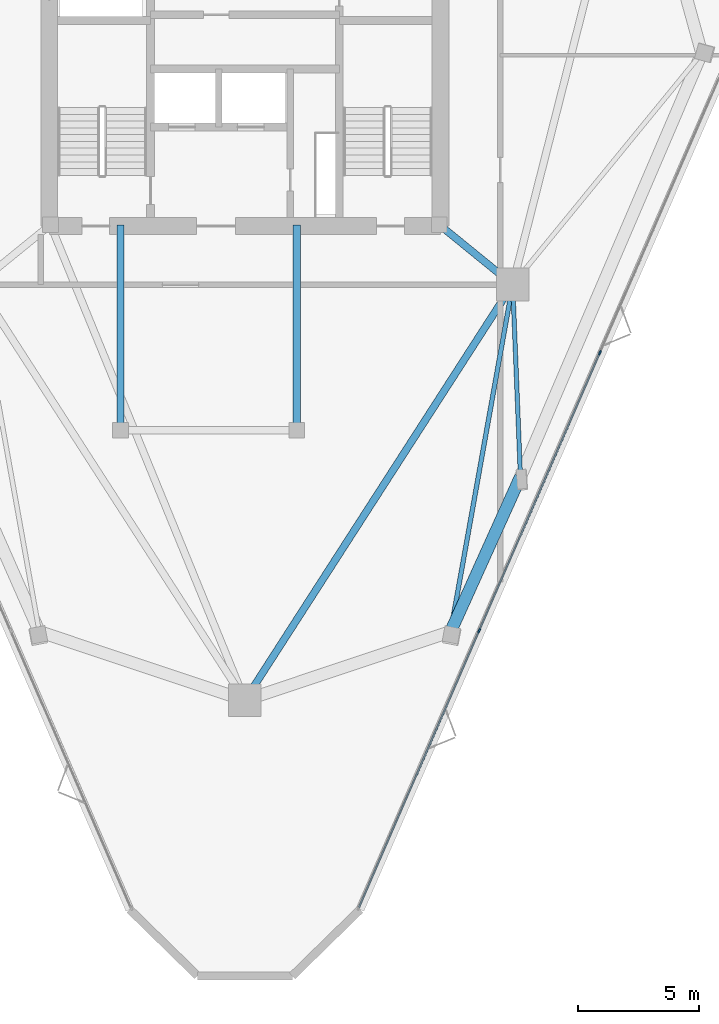
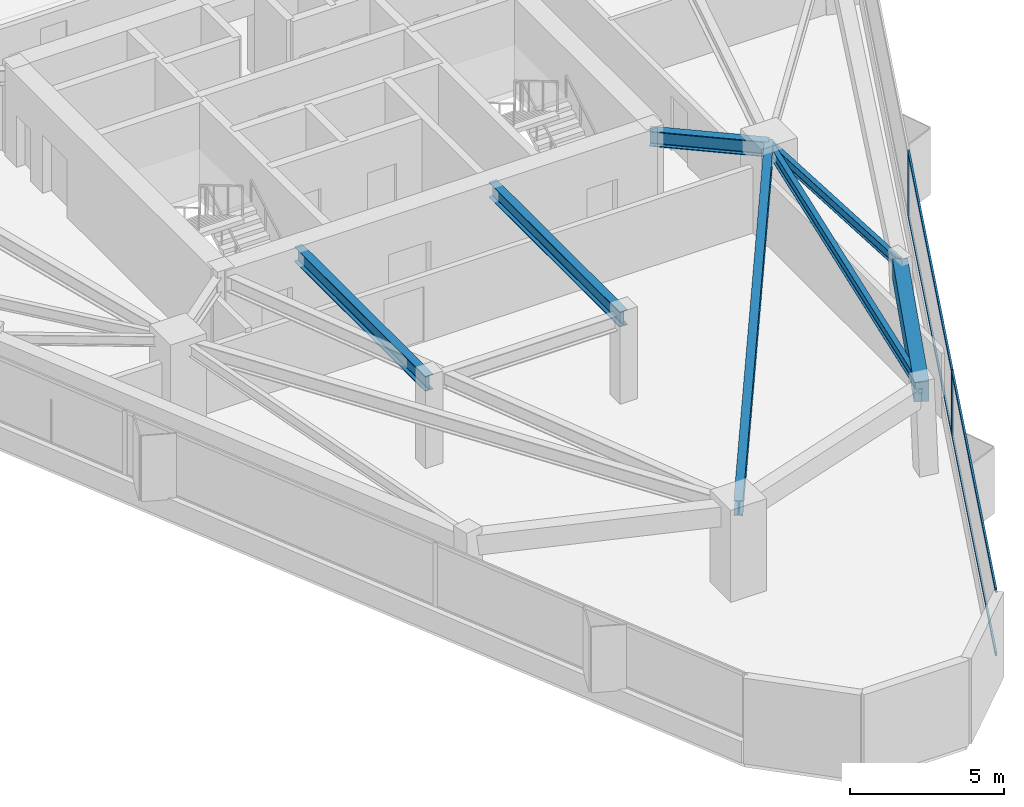
# One storey, part 4 of 13: 7 beams, 6 members, 1 element without a shape of its own.
"""IFC4 building model written with IfcOpenShell, lengths in metres."""

from ifc_helpers import new_model, si_unit, direction, frame, origin, origin_2d, place, context, subcontext, project, spatial, rectangle, i_section, extrude, material, layer, layer_set, material_profile, profile_set, type_object, element, aggregate, save


model = new_model("IFC4")

# Units and contexts
model_context = context("Model", 3, precision=1e-05, world=origin(), true_north=direction((0.0, 1.0)))
body_context = subcontext(model_context, "Body", "Model", "MODEL_VIEW")
ifc_project = project(units=[si_unit("LENGTHUNIT", "METRE"), si_unit("AREAUNIT", "SQUARE_METRE"), si_unit("VOLUMEUNIT", "CUBIC_METRE"), si_unit("PLANEANGLEUNIT", "RADIAN"), si_unit("MASSUNIT", "GRAM", prefix="KILO")], contexts=[model_context])

# Site, building, storey
site_placement = place(None, origin())
site = spatial("IfcSite", under=ifc_project, at=site_placement, CompositionType="ELEMENT")
building_placement = place(site_placement, origin())
building = spatial("IfcBuilding", under=site, at=building_placement, Name="Talyreon Biosciences Tower", CompositionType="ELEMENT")
storey_placement = place(building_placement, frame((0.0, 0.0, 212.25)))
storey = spatial("IfcBuildingStorey", under=building, at=storey_placement, Name="L56", CompositionType="ELEMENT", Elevation=212.25)

# Curtain wall, members
ifc_material_1 = material(Name="Thermally broken aluminium and low-E glazing", Category="aluminium")
ifc_layer = layer(ifc_material_1, 0.179931640625)
ifc_layer_set = layer_set([ifc_layer], Name="Thermally broken aluminium and low-E glazing")
curtain_wall_type = type_object("IfcCurtainWallType", Name="CurtainWall_Zone4Optical", PredefinedType="NOTDEFINED", material=ifc_layer_set)
curtain_wall_placement = place(storey_placement, origin())
curtain_wall = element("IfcCurtainWall", 1, at=curtain_wall_placement, inside=storey, type_object=curtain_wall_type, Name="L56 Unitised Curtain Wall FCW-L56-08", PredefinedType="NOTDEFINED")
ifc_material_2 = material(Name="Anodised thermally broken aluminium", Category="aluminium")
ifc_material_profile_1 = material_profile(ifc_material_2, rectangle(XDim=0.06494140625, YDim=0.179931640625, at=origin_2d()), Name="ALUM MULLION 65x180")
ifc_profile_set_1 = profile_set([ifc_material_profile_1], Name="Anodised thermally broken aluminium")
member_type_1 = type_object("IfcMemberType", Name="CWMullion_65x180", PredefinedType="MULLION", material=ifc_profile_set_1)
member_1_placement = place(storey_placement, frame((80.6962890625, 56.0546875, 0.81005859375), z_axis=(0.0, 0.0, 1.0), x_axis=(0.917221993355, -0.398376473835, 0.0)))
member_1 = element("IfcMember", 2, at=member_1_placement, type_object=member_type_1, Name="CW5 mullion 3", PredefinedType="MULLION", context=body_context, shape_type="SweptSolid", body=[
    extrude(rectangle(XDim=0.06494140625, YDim=0.179931640625, at=origin_2d()), origin(), (0.0, 0.0, 1.0), 2.58984375),
])
member_2_placement = place(storey_placement, frame((75.6962890625, 44.542724609375, 0.81005859375), z_axis=(0.0, 0.0, 1.0), x_axis=(0.917221993355, -0.398376473835, 0.0)))
member_2 = element("IfcMember", 3, at=member_2_placement, type_object=member_type_1, Name="CW5 mullion 4", PredefinedType="MULLION", context=body_context, shape_type="SweptSolid", body=[
    extrude(rectangle(XDim=0.06494140625, YDim=0.179931640625, at=origin_2d()), origin(), (0.0, 0.0, 1.0), 2.58984375),
])
ifc_material_profile_2 = material_profile(ifc_material_2, rectangle(XDim=0.06494140625, YDim=0.139892578125, at=origin_2d()), Name="ALUM TRANSOM 65x140")
ifc_profile_set_2 = profile_set([ifc_material_profile_2], Name="Anodised thermally broken aluminium")
member_type_2 = type_object("IfcMemberType", Name="CWTransom_65x140", PredefinedType="USERDEFINED", material=ifc_profile_set_2)
member_3_placement = place(storey_placement, frame((80.683349609375, 56.02490234375, 0.842529296875), z_axis=(-0.39837717116, -0.917221690486, 0.0), x_axis=(0.917221690486, -0.39837717116, 0.0)))
member_3 = element("IfcMember", 4, at=member_3_placement, type_object=member_type_2, Name="CW5 transom 3.1", ObjectType="TRANSOM", PredefinedType="USERDEFINED", context=body_context, shape_type="SweptSolid", body=[
    extrude(rectangle(XDim=0.06494140625, YDim=0.139892578125, at=origin_2d()), origin(), (0.0, 0.0, 1.0), 12.48583984375),
])
member_4_placement = place(storey_placement, frame((80.683349609375, 56.02490234375, 3.367431640625), z_axis=(-0.39837717116, -0.917221690486, 0.0), x_axis=(0.917221690486, -0.39837717116, 0.0)))
member_4 = element("IfcMember", 5, at=member_4_placement, type_object=member_type_2, Name="CW5 transom 3.2", ObjectType="TRANSOM", PredefinedType="USERDEFINED", context=body_context, shape_type="SweptSolid", body=[
    extrude(rectangle(XDim=0.06494140625, YDim=0.139892578125, at=origin_2d()), origin(), (0.0, 0.0, 1.0), 12.48583984375),
])
member_5_placement = place(storey_placement, frame((75.683349609375, 44.512939453125, 0.842529296875), z_axis=(-0.398376978135, -0.917221774323, 0.0), x_axis=(0.917221774323, -0.398376978135, 0.0)))
member_5 = element("IfcMember", 6, at=member_5_placement, type_object=member_type_2, Name="CW5 transom 4.1", ObjectType="TRANSOM", PredefinedType="USERDEFINED", context=body_context, shape_type="SweptSolid", body=[
    extrude(rectangle(XDim=0.06494140625, YDim=0.139892578125, at=origin_2d()), origin(), (0.0, 0.0, 1.0), 12.453369140625),
])
member_6_placement = place(storey_placement, frame((75.683349609375, 44.512939453125, 3.367431640625), z_axis=(-0.398376978135, -0.917221774323, 0.0), x_axis=(0.917221774323, -0.398376978135, 0.0)))
member_6 = element("IfcMember", 7, at=member_6_placement, type_object=member_type_2, Name="CW5 transom 4.2", ObjectType="TRANSOM", PredefinedType="USERDEFINED", context=body_context, shape_type="SweptSolid", body=[
    extrude(rectangle(XDim=0.06494140625, YDim=0.139892578125, at=origin_2d()), origin(), (0.0, 0.0, 1.0), 12.453369140625),
])
aggregate(curtain_wall, [member_1, member_2, member_3, member_4, member_5, member_6])

# Beams
ifc_material_3 = material(Name="Precast concrete C45/55", Category="concrete")
ifc_material_profile_3 = material_profile(ifc_material_3, rectangle(XDim=0.5, YDim=0.780029296875, at=origin_2d()), Name="RCB 500x780")
ifc_profile_set_3 = profile_set([ifc_material_profile_3], Name="Precast concrete C45/55")
beam_type_1 = type_object("IfcBeamType", Name="ExpressedSpandrel_500x780", PredefinedType="SPANDREL", material=ifc_profile_set_3)
beam_1_placement = place(storey_placement, frame((74.514892578125, 44.508544921875, 3.010009765625), z_axis=(0.411378253315, 0.911464718296, 0.0), x_axis=(-0.911464718296, 0.411378253315, 0.0)))
element("IfcBeam", 8, at=beam_1_placement, inside=storey, type_object=beam_type_1, Name="L56 Expressed Horizontal Concrete Spandrel 02", PredefinedType="SPANDREL", context=body_context, shape_type="SweptSolid", body=[
    extrude(rectangle(XDim=0.5, YDim=0.780029296875, at=origin_2d()), origin(), (0.0, 0.0, 1.0), 7.029052734375),
])
ifc_material_4 = material(Name="Steel SM355", Category="steel")
ifc_material_profile_4 = material_profile(ifc_material_4, i_section(OverallWidth=0.300048828125, OverallDepth=0.60009765625, WebThickness=0.015380859375, FlangeThickness=0.030029296875, FilletRadius=0.027099609375, at=origin_2d()), Name="HE600B")
ifc_profile_set_4 = profile_set([ifc_material_profile_4], Name="Steel SM355")
beam_type_2 = type_object("IfcBeamType", Name="SteelBeam_HE600B", PredefinedType="BEAM", material=ifc_profile_set_4)
beam_2_placement = place(storey_placement, frame((66.0, 41.6669921875, 3.10009765625), z_axis=(0.541463723609, 0.840724114092, 0.0), x_axis=(-0.840724114092, 0.541463723609, 0.0)))
element("IfcBeam", 9, at=beam_2_placement, inside=storey, type_object=beam_type_2, Name="L56 Mega-Ring Girder 1", PredefinedType="BEAM", context=body_context, shape_type="SweptSolid", body=[
    extrude(i_section(OverallWidth=0.300048828125, OverallDepth=0.60009765625, WebThickness=0.015380859375, FlangeThickness=0.030029296875, FilletRadius=0.027099609375, at=origin_2d()), origin(), (0.0, 0.0, 1.0), 20.474365234375),
])
beam_3_placement = place(storey_placement, frame((74.050048828125, 61.35009765625, 3.10009765625), z_axis=(0.775755154013, -0.631034025249, 0.0), x_axis=(0.631034025249, 0.775755154013, 0.0)))
element("IfcBeam", 10, at=beam_3_placement, inside=storey, type_object=beam_type_2, Name="L56 Radial Primary Girder 2", PredefinedType="BEAM", context=body_context, shape_type="SweptSolid", body=[
    extrude(i_section(OverallWidth=0.300048828125, OverallDepth=0.60009765625, WebThickness=0.015380859375, FlangeThickness=0.030029296875, FilletRadius=0.027099609375, at=origin_2d()), origin(), (0.0, 0.0, 1.0), 3.913818359375),
])
for number, where, z_axis, x_axis, name in (
    (11, (60.85009765625, 52.840087890625, 3.10009765625), (0.0, 1.0, 0.0), (-1.0, 0.0, 0.0), "L56 Crown Shaft Tie Girder W"),
    (12, (68.14990234375, 52.840087890625, 3.10009765625), (0.0, 1.0, 0.0), (-1.0, 0.0, 0.0), "L56 Crown Shaft Tie Girder E"),
):
    element("IfcBeam", number, at=place(storey_placement, frame(where, z_axis=z_axis, x_axis=x_axis)), inside=storey, type_object=beam_type_2, Name=name, PredefinedType="BEAM", context=body_context, shape_type="SweptSolid", body=[
        extrude(i_section(OverallWidth=0.300048828125, OverallDepth=0.60009765625, WebThickness=0.015380859375, FlangeThickness=0.030029296875, FilletRadius=0.027099609375, at=origin_2d()), origin(), (0.0, 0.0, 1.0), 8.510009765625),
    ])
ifc_material_profile_5 = material_profile(ifc_material_4, i_section(OverallWidth=0.179931640625, OverallDepth=0.39990234375, WebThickness=0.008544921875, FlangeThickness=0.013427734375, FilletRadius=0.02099609375, at=origin_2d()), Name="IPE400")
ifc_profile_set_5 = profile_set([ifc_material_profile_5], Name="Steel SM355")
beam_type_3 = type_object("IfcBeamType", Name="SteelJoist_IPE400", PredefinedType="JOIST", material=ifc_profile_set_5)
beam_4_placement = place(storey_placement, frame((77.086181640625, 58.88037109375, 3.199951171875), z_axis=(0.040182081065, -0.999192374051, 0.0), x_axis=(0.999192374051, 0.040182081065, 0.0)))
element("IfcBeam", 13, at=beam_4_placement, inside=storey, type_object=beam_type_3, Name="L56 Radial Composite Floor Joist PL-SE", PredefinedType="JOIST", context=body_context, shape_type="SweptSolid", body=[
    extrude(i_section(OverallWidth=0.179931640625, OverallDepth=0.39990234375, WebThickness=0.008544921875, FlangeThickness=0.013427734375, FilletRadius=0.02099609375, at=origin_2d()), origin(), (0.0, 0.0, 1.0), 7.971435546875),
])
ifc_material_profile_6 = material_profile(ifc_material_4, i_section(OverallWidth=0.18994140625, OverallDepth=0.449951171875, WebThickness=0.009521484375, FlangeThickness=0.0146484375, FilletRadius=0.02099609375, at=origin_2d()), Name="IPE450")
ifc_profile_set_6 = profile_set([ifc_material_profile_6], Name="Steel SM355")
beam_type_4 = type_object("IfcBeamType", Name="SteelJoist_IPE450", PredefinedType="JOIST", material=ifc_profile_set_6)
beam_5_placement = place(storey_placement, frame((77.086181640625, 58.88037109375, 3.175048828125), z_axis=(-0.176115311238, -0.98436954298, 0.0), x_axis=(0.98436954298, -0.176115311238, 0.0)))
element("IfcBeam", 14, at=beam_5_placement, inside=storey, type_object=beam_type_4, Name="L56 Radial Composite Floor Joist PC-SE1", PredefinedType="JOIST", context=body_context, shape_type="SweptSolid", body=[
    extrude(i_section(OverallWidth=0.18994140625, OverallDepth=0.449951171875, WebThickness=0.009521484375, FlangeThickness=0.0146484375, FilletRadius=0.02099609375, at=origin_2d()), origin(), (0.0, 0.0, 1.0), 14.60009765625),
])

save(model, "model.ifc")
